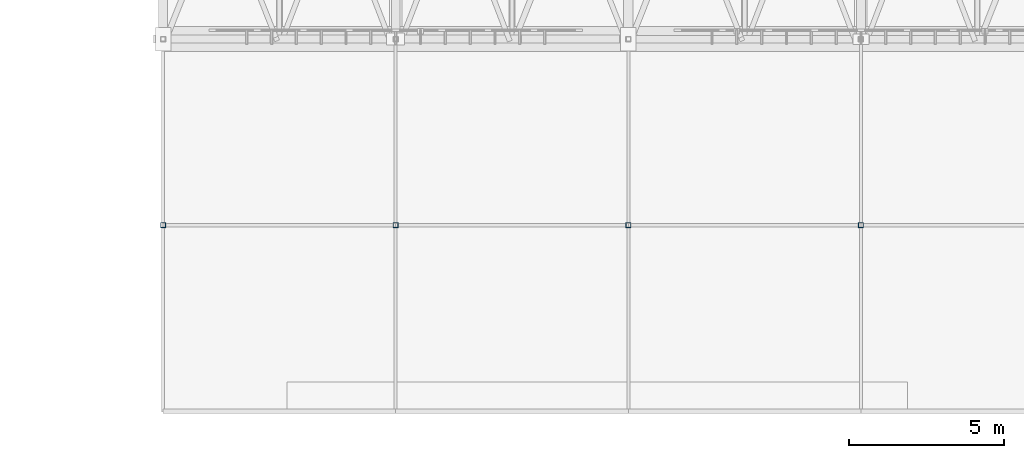
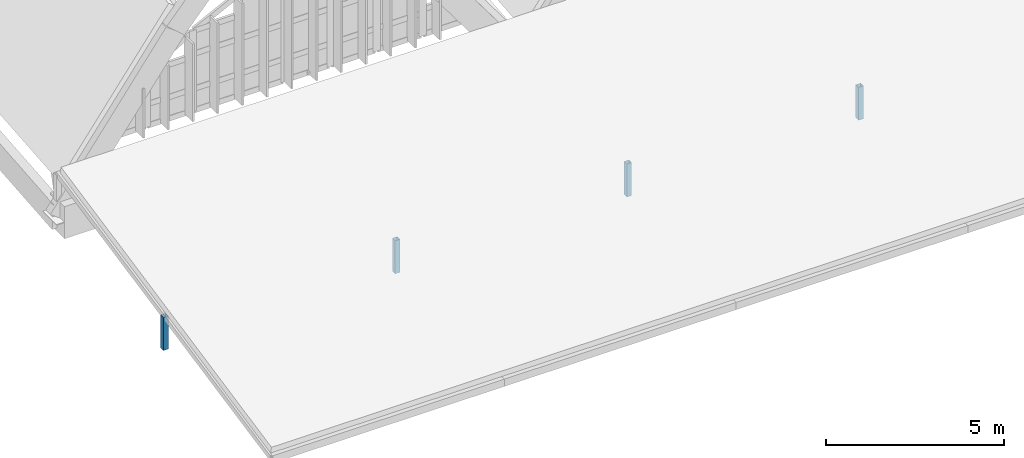
# One storey, part 1 of 93: 4 columns.
"""IFC4 building model written with IfcOpenShell, lengths in metres."""

import ifcopenshell
import ifcopenshell.guid

model = None  # the IFC model being written
_history = None  # IfcOwnerHistory: only IFC2X3 demands one
_inside = {}  # id of a spatial element -> (the spatial element, [elements in it])
_under = {}  # id of a project, library or spatial element -> (it, [spatial elements below it])
_declared = {}  # id of a project -> (the project, [libraries it declares])
_typed = {}  # id of a type object -> (the type object, [elements of that type])
_made_of = {}  # id of a material, layer set ... -> (it, [elements and type objects made of it])


def new_model(schema):
    """Start an empty IFC model of exactly this schema.

    Asked for "IFC4X3", IfcOpenShell would pick the latest addendum, in which some entities
    have other attributes; the version numbers below select the first issue.
    IFC2X3 requires an IfcOwnerHistory on every rooted entity: one is made here for all.
    """
    global model, _history
    if schema == "IFC4X3":
        model = ifcopenshell.file(schema_version=(4, 3, 0, 0))
    else:
        model = ifcopenshell.file(schema=schema)
    _inside.clear()
    _under.clear()
    _declared.clear()
    _typed.clear()
    _made_of.clear()
    _history = None
    if model.schema == "IFC2X3":
        org = make("IfcOrganization", Name="unknown")
        user = make(
            "IfcPersonAndOrganization",
            ThePerson=make("IfcPerson", FamilyName="unknown"),
            TheOrganization=org,
        )
        app = make(
            "IfcApplication",
            ApplicationDeveloper=org,
            Version="unknown",
            ApplicationFullName="unknown",
            ApplicationIdentifier="unknown",
        )
        _history = make(
            "IfcOwnerHistory",
            OwningUser=user,
            OwningApplication=app,
            ChangeAction="ADDED",
            CreationDate=0,
        )
    return model


def make(cls, **values):
    """One entity of the class cls with the attributes given. An attribute that is None is left unset."""
    return model.create_entity(
        cls, **{name: value for name, value in values.items() if value is not None}
    )


def rooted(cls, **values):
    """An entity with a GlobalId (a new one), such as an element, a storey or a relation."""
    return make(cls, GlobalId=ifcopenshell.guid.new(), OwnerHistory=_history, **values)


def si_unit(unit_type, name, prefix=None):
    """IfcSIUnit, for example si_unit("LENGTHUNIT", "METRE", prefix="MILLI")."""
    return make("IfcSIUnit", UnitType=unit_type, Prefix=prefix, Name=name)


def assignment(units):
    """IfcUnitAssignment: the units of a project."""
    return None if units is None else make("IfcUnitAssignment", Units=units)


def point(xyz):
    """IfcCartesianPoint."""
    return None if xyz is None else make("IfcCartesianPoint", Coordinates=xyz)


def direction(xyz):
    """IfcDirection."""
    return None if xyz is None else make("IfcDirection", DirectionRatios=xyz)


def frame(location, z_axis=None, x_axis=None):
    """IfcAxis2Placement3D, a coordinate frame: its origin and axes. An axis left out is left unset."""
    return make(
        "IfcAxis2Placement3D",
        Location=point(location),
        Axis=direction(z_axis),
        RefDirection=direction(x_axis),
    )


def frame_2d(location, x_axis=None):
    """IfcAxis2Placement2D, a coordinate frame in the plane: its origin and x axis."""
    return make(
        "IfcAxis2Placement2D", Location=point(location), RefDirection=direction(x_axis)
    )


def origin():
    """The frame at (0, 0, 0) with its axes left unset."""
    return frame((0.0, 0.0, 0.0))


def origin_2d():
    """The frame at (0, 0) in the plane with its x axis left unset."""
    return frame_2d((0.0, 0.0))


def place(relative_to, where):
    """IfcLocalPlacement: puts the frame where relative to a parent placement (None: the world)."""
    return make(
        "IfcLocalPlacement", PlacementRelTo=relative_to, RelativePlacement=where
    )


def context(
    kind, dimensions, precision=None, world=None, true_north=None, identifier=None
):
    """IfcGeometricRepresentationContext, for example the 3D "Model" context."""
    return make(
        "IfcGeometricRepresentationContext",
        ContextIdentifier=identifier,
        ContextType=kind,
        CoordinateSpaceDimension=dimensions,
        Precision=precision,
        WorldCoordinateSystem=world,
        TrueNorth=true_north,
    )


def subcontext(parent, identifier, kind, view, scale=None):
    """IfcGeometricRepresentationSubContext, for example "Body" below "Model"."""
    return make(
        "IfcGeometricRepresentationSubContext",
        ContextIdentifier=identifier,
        ContextType=kind,
        ParentContext=parent,
        TargetScale=scale,
        TargetView=view,
    )


def project(units=None, contexts=None):
    """IfcProject with its units and contexts."""
    return rooted(
        "IfcProject",
        Name="project",
        RepresentationContexts=contexts,
        UnitsInContext=assignment(units),
    )


def spatial(cls, under=None, at=None, **own):
    """A site, building, storey or space (cls), placed at a placement, below another one or the project."""
    s = rooted(cls, ObjectPlacement=at, **own)
    if under is not None:
        _under.setdefault(under.id(), (under, []))[1].append(s)
    return s


def profile(cls, at=None, kind="AREA", **sizes):
    """A parametric profile (cls). Its sizes go by their IFC names, for example OverallWidth=200.0."""
    return make(cls, ProfileType=kind, Position=at, **sizes)


def hollow_rectangle(**sizes):
    """IfcRectangleHollowProfileDef."""
    return profile("IfcRectangleHollowProfileDef", **sizes)


def extrude(swept, where, along, depth):
    """IfcExtrudedAreaSolid: the profile swept, set in the frame where, extruded along a direction by depth."""
    return make(
        "IfcExtrudedAreaSolid",
        SweptArea=swept,
        Position=where,
        ExtrudedDirection=direction(along),
        Depth=depth,
    )


def shape(context_of_items, identifier, shape_type, items):
    """IfcShapeRepresentation: the items that make up one representation, for example the "Body"."""
    return make(
        "IfcShapeRepresentation",
        ContextOfItems=context_of_items,
        RepresentationIdentifier=identifier,
        RepresentationType=shape_type,
        Items=items,
    )


def material(Name=None, Category=None):
    """IfcMaterial."""
    return make("IfcMaterial", Name=Name, Category=Category)


def material_profile(
    of_material, cross_section, Name=None, Category=None, Priority=None
):
    """IfcMaterialProfile: a cross section and its material."""
    return make(
        "IfcMaterialProfile",
        Name=Name,
        Material=of_material,
        Profile=cross_section,
        Priority=Priority,
        Category=Category,
    )


def profile_set(profiles, Name=None, composite=None):
    """IfcMaterialProfileSet."""
    return make(
        "IfcMaterialProfileSet",
        Name=Name,
        MaterialProfiles=profiles,
        CompositeProfile=composite,
    )


def made_of(thing, what):
    """Note that an element or type object is made of a material, layer set ...; save() writes the relation."""
    if what is not None:
        _made_of.setdefault(what.id(), (what, []))[1].append(thing)
    return thing


def type_object(cls, material=None, **own):
    """A type object (cls), such as IfcWallType, which elements share."""
    return made_of(rooted(cls, **own), material)


def element(
    cls,
    number,
    at=None,
    inside=None,
    cuts=None,
    type_object=None,
    material=None,
    context=None,
    identifier="Body",
    shape_type=None,
    held_by="IfcProductDefinitionShape",
    body=None,
    shapes=None,
    **own,
):
    """One element of the class cls, such as IfcWall. Its Tag is "e" and its number.

    at: its placement. inside: the storey or other place that contains it. cuts: it is an
    opening in that element (IfcRelVoidsElement). A single representation is given by context,
    identifier, shape_type and body (its items); several are given by shapes. held_by: the class
    of the entity that holds the representations. save() writes the other relations.
    """
    e = rooted(cls, Tag="e%d" % number, ObjectPlacement=at, **own)
    if body is not None:
        shapes = [shape(context, identifier, shape_type, body)]
    if shapes is not None:
        e.Representation = make(held_by, Representations=shapes)
    if inside is not None:
        _inside.setdefault(inside.id(), (inside, []))[1].append(e)
    if cuts is not None:
        rooted(
            "IfcRelVoidsElement", RelatingBuildingElement=cuts, RelatedOpeningElement=e
        )
    if type_object is not None:
        _typed.setdefault(type_object.id(), (type_object, []))[1].append(e)
    return made_of(e, material)


def aggregate(whole, parts):
    """IfcRelAggregates: a whole, such as a stair, and the parts it consists of."""
    return rooted("IfcRelAggregates", RelatingObject=whole, RelatedObjects=parts)


def save(model, path):
    """Write the relations noted so far, then the file.

    IfcRelAggregates (storeys below a building ...), IfcRelContainedInSpatialStructure (elements
    in a storey), IfcRelDefinesByType, IfcRelAssociatesMaterial and IfcRelDeclares: one each for
    every whole, place, type object, material and project.
    """
    for whole, parts in _under.values():
        aggregate(whole, parts)
    for where, things in _inside.values():
        rooted(
            "IfcRelContainedInSpatialStructure",
            RelatedElements=things,
            RelatingStructure=where,
        )
    for kind, things in _typed.values():
        rooted("IfcRelDefinesByType", RelatedObjects=things, RelatingType=kind)
    for what, things in _made_of.values():
        rooted("IfcRelAssociatesMaterial", RelatedObjects=things, RelatingMaterial=what)
    for by, libraries in _declared.values():
        rooted("IfcRelDeclares", RelatingContext=by, RelatedDefinitions=libraries)
    model.write(path)


model = new_model("IFC4")

# Units and contexts
model_context = context("Model", 3, precision=1e-05, world=origin(), true_north=direction((0.0, 1.0)))
body_context = subcontext(model_context, "Body", "Model", "MODEL_VIEW")
ifc_project = project(units=[si_unit("LENGTHUNIT", "METRE"), si_unit("AREAUNIT", "SQUARE_METRE"), si_unit("VOLUMEUNIT", "CUBIC_METRE"), si_unit("PLANEANGLEUNIT", "RADIAN"), si_unit("MASSUNIT", "GRAM", prefix="KILO")], contexts=[model_context])

# Site, building, storey
site_placement = place(None, origin())
site = spatial("IfcSite", under=ifc_project, at=site_placement, CompositionType="ELEMENT")
building_placement = place(site_placement, origin())
building = spatial("IfcBuilding", under=site, at=building_placement, Name="Vourika Railside Aquatics Centre", CompositionType="ELEMENT")
storey_placement = place(building_placement, frame((0.0, 0.0, 21.89990234375)))
storey = spatial("IfcBuildingStorey", under=building, at=storey_placement, Name="Roof", CompositionType="ELEMENT", Elevation=21.89990234375)

# Columns
ifc_material = material(Name="Steel S355J2", Category="steel")
ifc_material_profile = material_profile(ifc_material, hollow_rectangle(XDim=0.159912109375, YDim=0.159912109375, WallThickness=0.008056640625, at=origin_2d()), Name="SHS 160x160x8")
ifc_profile_set = profile_set([ifc_material_profile], Name="Steel S355J2")
column_type = type_object("IfcColumnType", Name="COL-STL-SHS160", PredefinedType="COLUMN", material=ifc_profile_set)
for number, where, z_axis, x_axis, name in (
    (1, (36.0, 6.0, -12.599853515625), (0.0, 0.0, 1.0), (1.0, 0.0, 0.0), "Changing Roof Mid-Span Post (36.0,6.0)"),
    (2, (43.5, 6.0, -12.599853515625), (0.0, 0.0, 1.0), (1.0, 0.0, 0.0), "Changing Roof Mid-Span Post (43.5,6.0)"),
    (3, (51.0, 6.0, -12.599853515625), (0.0, 0.0, 1.0), (1.0, 0.0, 0.0), "Changing Roof Mid-Span Post (51.0,6.0)"),
    (4, (58.5, 6.0, -12.599853515625), (0.0, 0.0, 1.0), (1.0, 0.0, 0.0), "Changing Roof Mid-Span Post (58.5,6.0)"),
):
    element("IfcColumn", number, at=place(storey_placement, frame(where, z_axis=z_axis, x_axis=x_axis)), inside=storey, type_object=column_type, Name=name, PredefinedType="COLUMN", context=body_context, shape_type="SweptSolid", body=[
        extrude(hollow_rectangle(XDim=0.159912109375, YDim=0.159912109375, WallThickness=0.008056640625, at=origin_2d()), origin(), (0.0, 0.0, 1.0), 1.125),
    ])

save(model, "model.ifc")
